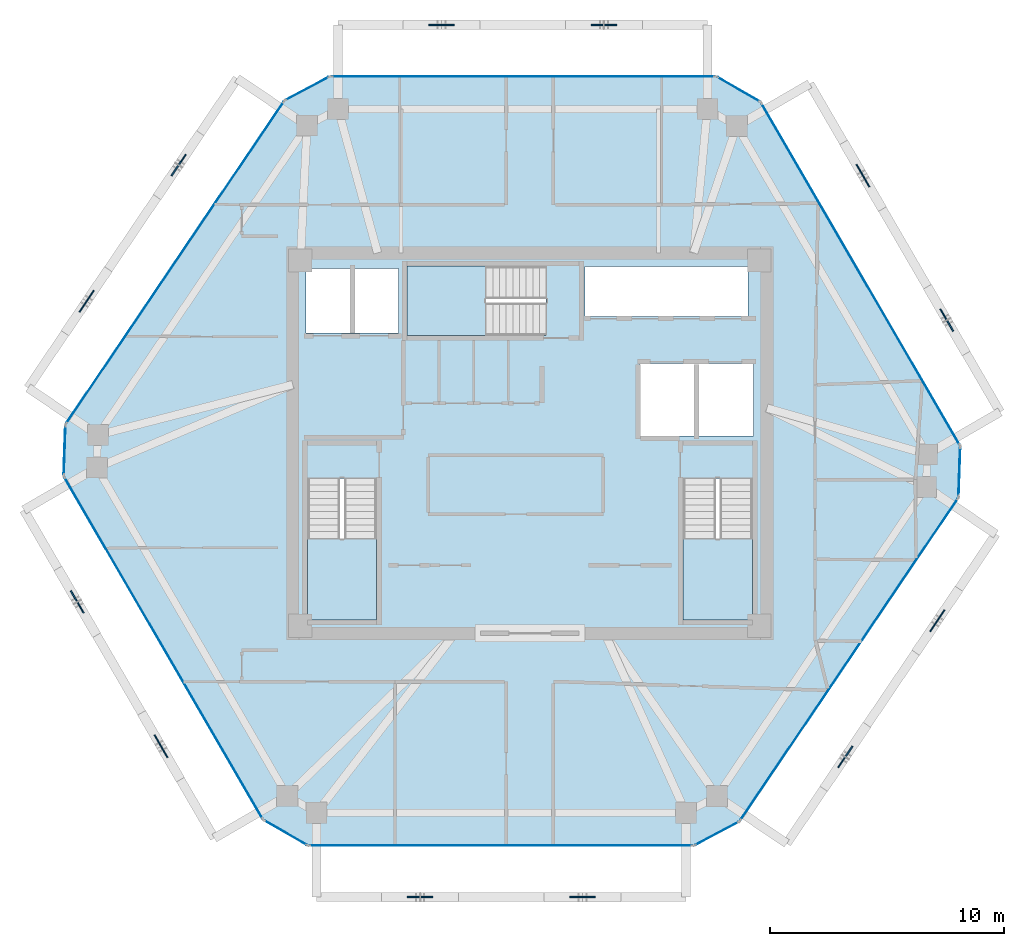
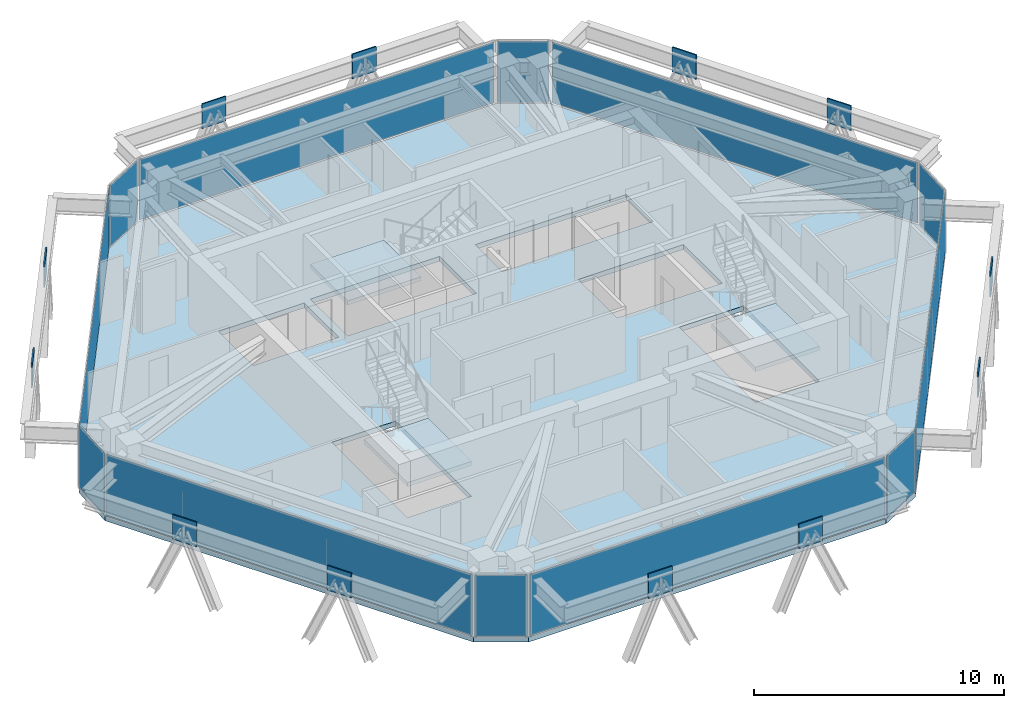
# One storey, part 7 of 14: 24 plates, 4 slabs, 15 elements without a shape of their own.
"""IFC4 building model written with IfcOpenShell, lengths in metres."""

from ifc_helpers import new_model, si_unit, direction, frame, origin, origin_2d, place, context, subcontext, project, spatial, polyline, rectangle, outline, extrude, source, transform, mapped, material, layer, layer_set, type_object, type_shapes, element, aggregate, save


model = new_model("IFC4")

# Units and contexts
model_context = context("Model", 3, precision=1e-05, world=origin(), true_north=direction((0.0, 1.0)))
body_context = subcontext(model_context, "Body", "Model", "MODEL_VIEW")
ifc_project = project(units=[si_unit("LENGTHUNIT", "METRE"), si_unit("AREAUNIT", "SQUARE_METRE"), si_unit("VOLUMEUNIT", "CUBIC_METRE"), si_unit("PLANEANGLEUNIT", "RADIAN"), si_unit("MASSUNIT", "GRAM", prefix="KILO")], contexts=[model_context])

# Site, building, storey
site_placement = place(None, origin())
site = spatial("IfcSite", under=ifc_project, at=site_placement, CompositionType="ELEMENT")
building_placement = place(site_placement, origin())
building = spatial("IfcBuilding", under=site, at=building_placement, Name="Durnholm Broadcast Tower", CompositionType="ELEMENT")
storey_placement = place(building_placement, frame((0.0, 0.0, 261.5)))
storey = spatial("IfcBuildingStorey", under=building, at=storey_placement, Name="L73", CompositionType="ELEMENT", Elevation=261.5)

# Slab
ifc_material_1 = material(Name="Concrete C50/60", Category="concrete")
ifc_layer_1 = layer(ifc_material_1, 0.239990234375)
ifc_layer_set_1 = layer_set([ifc_layer_1], Name="Concrete C50/60")
slab_type_1 = type_object("IfcSlabType", Name="SLAB-FLR-240", PredefinedType="FLOOR", material=ifc_layer_set_1)
slab_1_placement = place(storey_placement, frame((0.0, 0.0, -0.239990234375)))
element("IfcSlab", 1, at=slab_1_placement, inside=storey, type_object=slab_type_1, Name="L73 structural floor slab", PredefinedType="FLOOR", context=body_context, shape_type="SweptSolid", body=[
    extrude(outline(polyline([(-11.384521484375, -16.088134765625), (-9.47802734375, -17.18603515625), (7.012451171875, -17.18603515625), (8.955322265625, -16.154296875), (18.307861328125, -2.3203125), (18.38330078125, -0.12158203125), (9.8603515625, 14.564208984375), (7.9541015625, 15.662109375), (-8.536376953125, 15.662109375), (-10.4794921875, 14.630126953125), (-19.831787109375, 0.79638671875), (-19.9072265625, -1.40234375), (-11.384521484375, -16.088134765625)]), holes=[polyline([(-6.5400390625, -1.5), (-9.5, -1.5), (-9.5, -7.550048828125), (-6.5400390625, -7.550048828125), (-6.5400390625, -1.5)]), polyline([(9.5, -7.550048828125), (9.5, -1.5), (6.5400390625, -1.5), (6.5400390625, -7.550048828125), (9.5, -7.550048828125)]), polyline([(9.550048828125, 3.39990234375), (4.699951171875, 3.39990234375), (4.699951171875, 0.300048828125), (9.550048828125, 0.300048828125), (9.550048828125, 3.39990234375)]), polyline([(-9.550048828125, 7.449951171875), (-9.550048828125, 4.699951171875), (-5.60009765625, 4.699951171875), (-5.60009765625, 7.449951171875), (-9.550048828125, 7.449951171875)]), polyline([(-5.25, 4.60009765625), (0.699951171875, 4.60009765625), (0.699951171875, 7.56005859375), (-5.25, 7.56005859375), (-5.25, 4.60009765625)]), polyline([(9.31005859375, 7.550048828125), (2.35009765625, 7.550048828125), (2.35009765625, 5.39990234375), (9.31005859375, 5.39990234375), (9.31005859375, 7.550048828125)])]), origin(), (0.0, 0.0, 1.0), 0.239990234375),
])

# Stair, slab
stair_type = type_object("IfcStairType", Name="STAIR-DL-20R1700", PredefinedType="HALF_TURN_STAIR", material=ifc_material_1)
stair_1_placement = place(storey_placement, origin())
stair_1 = element("IfcStair", 2, at=stair_1_placement, inside=storey, type_object=stair_type, Name="L73 ST-1", PredefinedType="HALF_TURN_STAIR")
ifc_layer_2 = layer(ifc_material_1, 0.199951171875)
ifc_layer_set_2 = layer_set([ifc_layer_2], Name="Concrete C50/60")
slab_type_2 = type_object("IfcSlabType", Name="SLAB-LND-200", PredefinedType="LANDING", material=ifc_layer_set_2)
slab_2_placement = place(storey_placement, frame((0.0, 0.0, 1.5)))
slab_2 = element("IfcSlab", 3, at=slab_2_placement, type_object=slab_type_2, Name="ST-1 landing 1", PredefinedType="LANDING", context=body_context, shape_type="SweptSolid", body=[
    extrude(outline(polyline([(-9.5, -4.06494140625), (-9.5, -7.550048828125), (-6.5400390625, -7.550048828125), (-6.5400390625, -4.06494140625), (-9.5, -4.06494140625)])), origin(), (0.0, 0.0, 1.0), 0.199951171875),
])
aggregate(stair_1, [slab_2])

stair_2_placement = place(storey_placement, origin())
stair_2 = element("IfcStair", 4, at=stair_2_placement, inside=storey, type_object=stair_type, Name="L73 ST-2", PredefinedType="HALF_TURN_STAIR")
slab_3_placement = place(storey_placement, frame((0.0, 0.0, 1.5)))
slab_3 = element("IfcSlab", 5, at=slab_3_placement, type_object=slab_type_2, Name="ST-2 landing 1", PredefinedType="LANDING", context=body_context, shape_type="SweptSolid", body=[
    extrude(outline(polyline([(6.5400390625, -4.06494140625), (6.5400390625, -7.550048828125), (9.5, -7.550048828125), (9.5, -4.06494140625), (6.5400390625, -4.06494140625)])), origin(), (0.0, 0.0, 1.0), 0.199951171875),
])
aggregate(stair_2, [slab_3])

stair_3_placement = place(storey_placement, origin())
stair_3 = element("IfcStair", 6, at=stair_3_placement, inside=storey, type_object=stair_type, Name="L73 ST-3", PredefinedType="HALF_TURN_STAIR")
slab_4_placement = place(storey_placement, frame((0.0, 0.0, 1.5)))
slab_4 = element("IfcSlab", 7, at=slab_4_placement, type_object=slab_type_2, Name="ST-3 landing 1", PredefinedType="LANDING", context=body_context, shape_type="SweptSolid", body=[
    extrude(outline(polyline([(-1.864990234375, 7.56005859375), (-5.25, 7.56005859375), (-5.25, 4.60009765625), (-1.864990234375, 4.60009765625), (-1.864990234375, 7.56005859375)])), origin(), (0.0, 0.0, 1.0), 0.199951171875),
])
aggregate(stair_3, [slab_4])

# Plates
ifc_material_2 = material(Name="Steel ASTM A572 Grade 50", Category="steel")
ifc_layer_3 = layer(ifc_material_2, 0.06005859375)
ifc_layer_set_3 = layer_set([ifc_layer_3], Name="Steel ASTM A572 Grade 50")
plate_type_1 = type_object("IfcPlateType", Name="PLT-KN10-GUS", PredefinedType="USERDEFINED", material=ifc_layer_set_3)
shared_shape_1 = source(origin(), body_context, "Body", "SweptSolid", [
    extrude(rectangle(XDim=1.10009765625, YDim=0.06005859375, at=origin_2d()), origin(), (0.0, 0.0, 1.0), 1.199951171875),
])
type_shapes(plate_type_1, [shared_shape_1])
for number, where, z_axis, x_axis, name in (
    (8, (-4.688720703125, -19.385986328125, 1.74853515625), (0.0, 0.0, 1.0), (1.0, 0.0, 0.0), "L73 welded diagrid node gusset plate KN10 F1"),
    (9, (2.248779296875, -19.385986328125, 1.74853515625), (0.0, 0.0, 1.0), (1.0, 0.0, 0.0), "L73 welded diagrid node gusset plate KN10 F1"),
    (10, (13.47412109375, -13.398193359375, 1.74853515625), (0.0, 0.0, 1.0), (0.560060762816, 0.828451532652, 0.0), "L73 welded diagrid node gusset plate KN10 F2"),
    (11, (17.404052734375, -7.585205078125, 1.74853515625), (0.0, 0.0, 1.0), (0.560060762816, 0.828451532652, 0.0), "L73 welded diagrid node gusset plate KN10 F2"),
    (12, (17.806640625, 5.2548828125, 1.74853515625), (0.0, 0.0, 1.0), (-0.501963660617, 0.864888711581, 0.0), "L73 welded diagrid node gusset plate KN10 F3"),
    (13, (14.228271484375, 11.4208984375, 1.74853515625), (0.0, 0.0, 1.0), (-0.501963660617, 0.864888711581, 0.0), "L73 welded diagrid node gusset plate KN10 F3"),
    (14, (3.164794921875, 17.862060546875, 1.74853515625), (0.0, 0.0, 1.0), (-1.0, 0.0, 0.0), "L73 welded diagrid node gusset plate KN10 F4"),
    (15, (-3.772705078125, 17.862060546875, 1.74853515625), (0.0, 0.0, 1.0), (-1.0, 0.0, 0.0), "L73 welded diagrid node gusset plate KN10 F4"),
    (16, (-14.998046875, 11.874267578125, 1.74853515625), (0.0, 0.0, 1.0), (-0.560060762816, -0.828451532652, 0.0), "L73 welded diagrid node gusset plate KN10 F5"),
    (17, (-18.927978515625, 6.061279296875, 1.74853515625), (0.0, 0.0, 1.0), (-0.560060762816, -0.828451532652, 0.0), "L73 welded diagrid node gusset plate KN10 F5"),
    (18, (-19.330810546875, -6.77880859375, 1.74853515625), (0.0, 0.0, 1.0), (0.501963660617, -0.864888711581, 0.0), "L73 welded diagrid node gusset plate KN10 F6"),
    (19, (-15.752197265625, -12.94482421875, 1.74853515625), (0.0, 0.0, 1.0), (0.501963660617, -0.864888711581, 0.0), "L73 welded diagrid node gusset plate KN10 F6"),
):
    element("IfcPlate", number, at=place(storey_placement, frame(where, z_axis=z_axis, x_axis=x_axis)), inside=storey, type_object=plate_type_1, Name=name, ObjectType="GUSSET_PLATE", PredefinedType="USERDEFINED", context=body_context, shape_type="MappedRepresentation", body=[
        mapped(shared_shape_1, transform((0.0, 0.0, 0.0), x_axis=(1.0, 0.0, 0.0), y_axis=(0.0, 1.0, 0.0), z_axis=(0.0, 0.0, 1.0), scale=1.0)),
    ])

# Curtain wall, plate
ifc_material_3 = material(Name="Aluminium and Solar Control IGU", Category="aluminium")
ifc_layer_4 = layer(ifc_material_3, 0.1650390625)
ifc_layer_set_4 = layer_set([ifc_layer_4], Name="Aluminium and Solar Control IGU")
curtain_wall_type_1 = type_object("IfcCurtainWallType", Name="CW-SYS-5", PredefinedType="NOTDEFINED", material=ifc_layer_set_4)
curtain_wall_1_placement = place(storey_placement, origin())
curtain_wall_1 = element("IfcCurtainWall", 20, at=curtain_wall_1_placement, inside=storey, type_object=curtain_wall_type_1, Name="L73 curtain wall CW-CORNER CW-L73-CRN-01", PredefinedType="NOTDEFINED")
ifc_material_4 = material(Name="Low-E Laminated Insulating Glass", Category="glass")
ifc_layer_5 = layer(ifc_material_4, 0.030029296875)
ifc_layer_set_5 = layer_set([ifc_layer_5], Name="Low-E Laminated Insulating Glass")
plate_type_2 = type_object("IfcPlateType", Name="CW-SYS-5-PNL", PredefinedType="CURTAIN_PANEL", material=ifc_layer_set_5)
shared_shape_2 = source(origin(), body_context, "Body", "SweptSolid", [
    extrude(rectangle(XDim=2.070068359375, YDim=0.030029296875, at=origin_2d()), origin(), (0.0, 0.0, 1.0), 2.969970703125),
])
plate_1_placement = place(storey_placement, frame((-19.86962890625, -0.302978515625, 0.06494140625), z_axis=(0.0, 0.0, 1.0), x_axis=(0.034318245849, 0.999410955514, 0.0)))
plate_1 = element("IfcPlate", 21, at=plate_1_placement, type_object=plate_type_2, Name="CW-CORNER panel 1.1", PredefinedType="CURTAIN_PANEL", context=body_context, shape_type="MappedRepresentation", body=[
    mapped(shared_shape_2, transform((0.0, 0.0, 0.0), x_axis=(1.0, 0.0, 0.0), y_axis=(0.0, 1.0, 0.0), z_axis=(0.0, 0.0, 1.0), scale=1.0)),
])
aggregate(curtain_wall_1, [plate_1])

curtain_wall_2_placement = place(storey_placement, origin())
curtain_wall_2 = element("IfcCurtainWall", 22, at=curtain_wall_2_placement, inside=storey, type_object=curtain_wall_type_1, Name="L73 curtain wall CW-CORNER CW-L73-CRN-03", PredefinedType="NOTDEFINED")
plate_2_placement = place(storey_placement, frame((-9.5078125, 15.14599609375, 0.06494140625), z_axis=(0.0, 0.0, 1.0), x_axis=(0.883194569853, 0.469006771575, 0.0)))
plate_2 = element("IfcPlate", 23, at=plate_2_placement, type_object=plate_type_2, Name="CW-CORNER panel 1.1", PredefinedType="CURTAIN_PANEL", context=body_context, shape_type="MappedRepresentation", body=[
    mapped(shared_shape_2, transform((0.0, 0.0, 0.0), x_axis=(1.0, 0.0, 0.0), y_axis=(0.0, 1.0, 0.0), z_axis=(0.0, 0.0, 1.0), scale=1.0)),
])
aggregate(curtain_wall_2, [plate_2])

curtain_wall_3_placement = place(storey_placement, origin())
curtain_wall_3 = element("IfcCurtainWall", 24, at=curtain_wall_3_placement, inside=storey, type_object=curtain_wall_type_1, Name="L73 curtain wall CW-CORNER CW-L73-CRN-07", PredefinedType="NOTDEFINED")
plate_3_placement = place(storey_placement, frame((18.345458984375, -1.220947265625, 0.06494140625), z_axis=(0.0, 0.0, 1.0), x_axis=(-0.034318245849, -0.999410955514, 0.0)))
plate_3 = element("IfcPlate", 25, at=plate_3_placement, type_object=plate_type_2, Name="CW-CORNER panel 1.1", PredefinedType="CURTAIN_PANEL", context=body_context, shape_type="MappedRepresentation", body=[
    mapped(shared_shape_2, transform((0.0, 0.0, 0.0), x_axis=(1.0, 0.0, 0.0), y_axis=(0.0, 1.0, 0.0), z_axis=(0.0, 0.0, 1.0), scale=1.0)),
])
aggregate(curtain_wall_3, [plate_3])

curtain_wall_4_placement = place(storey_placement, origin())
curtain_wall_4 = element("IfcCurtainWall", 26, at=curtain_wall_4_placement, inside=storey, type_object=curtain_wall_type_1, Name="L73 curtain wall CW-CORNER CW-L73-CRN-09", PredefinedType="NOTDEFINED")
plate_4_placement = place(storey_placement, frame((7.98388671875, -16.670166015625, 0.06494140625), z_axis=(0.0, 0.0, 1.0), x_axis=(-0.883194569853, -0.469006771575, 0.0)))
plate_4 = element("IfcPlate", 27, at=plate_4_placement, type_object=plate_type_2, Name="CW-CORNER panel 1.1", PredefinedType="CURTAIN_PANEL", context=body_context, shape_type="MappedRepresentation", body=[
    mapped(shared_shape_2, transform((0.0, 0.0, 0.0), x_axis=(1.0, 0.0, 0.0), y_axis=(0.0, 1.0, 0.0), z_axis=(0.0, 0.0, 1.0), scale=1.0)),
])
aggregate(curtain_wall_4, [plate_4])

ifc_layer_6 = layer(ifc_material_3, 0.18994140625)
ifc_layer_set_6 = layer_set([ifc_layer_6], Name="Aluminium and Solar Control IGU")
curtain_wall_type_2 = type_object("IfcCurtainWallType", Name="CW-SYS-4", PredefinedType="NOTDEFINED", material=ifc_layer_set_6)
curtain_wall_5_placement = place(storey_placement, origin())
curtain_wall_5 = element("IfcCurtainWall", 28, at=curtain_wall_5_placement, inside=storey, type_object=curtain_wall_type_2, Name="L73 curtain wall CW-Z34-VIS CW-L73-F02", PredefinedType="NOTDEFINED")
ifc_layer_7 = layer(ifc_material_4, 0.033935546875)
ifc_layer_set_7 = layer_set([ifc_layer_7], Name="Low-E Laminated Insulating Glass")
plate_type_3 = type_object("IfcPlateType", Name="CW-SYS-4-PNL", PredefinedType="CURTAIN_PANEL", material=ifc_layer_set_7)
shared_shape_3 = source(origin(), body_context, "Body", "SweptSolid", [
    extrude(rectangle(XDim=16.55859375, YDim=0.033935546875, at=origin_2d()), origin(), (0.0, 0.0, 1.0), 2.9599609375),
])
plate_5_placement = place(storey_placement, frame((-15.155517578125, 7.71337890625, 0.070068359375), z_axis=(0.0, 0.0, 1.0), x_axis=(0.560072745753, 0.828443431662, 0.0)))
plate_5 = element("IfcPlate", 29, at=plate_5_placement, type_object=plate_type_3, Name="CW-Z34-VIS panel 1.1", PredefinedType="CURTAIN_PANEL", context=body_context, shape_type="MappedRepresentation", body=[
    mapped(shared_shape_3, transform((0.0, 0.0, 0.0), x_axis=(1.0, 0.0, 0.0), y_axis=(0.0, 1.0, 0.0), z_axis=(0.0, 0.0, 1.0), scale=1.0)),
])
aggregate(curtain_wall_5, [plate_5])

curtain_wall_6_placement = place(storey_placement, origin())
curtain_wall_6 = element("IfcCurtainWall", 30, at=curtain_wall_6_placement, inside=storey, type_object=curtain_wall_type_2, Name="L73 curtain wall CW-Z34-VIS CW-L73-F08", PredefinedType="NOTDEFINED")
plate_6_placement = place(storey_placement, frame((13.631591796875, -9.2373046875, 0.070068359375), z_axis=(0.0, 0.0, 1.0), x_axis=(-0.560072745753, -0.828443431662, 0.0)))
plate_6 = element("IfcPlate", 31, at=plate_6_placement, type_object=plate_type_3, Name="CW-Z34-VIS panel 1.1", PredefinedType="CURTAIN_PANEL", context=body_context, shape_type="MappedRepresentation", body=[
    mapped(shared_shape_3, transform((0.0, 0.0, 0.0), x_axis=(1.0, 0.0, 0.0), y_axis=(0.0, 1.0, 0.0), z_axis=(0.0, 0.0, 1.0), scale=1.0)),
])
aggregate(curtain_wall_6, [plate_6])

curtain_wall_7_placement = place(storey_placement, origin())
curtain_wall_7 = element("IfcCurtainWall", 32, at=curtain_wall_7_placement, inside=storey, type_object=curtain_wall_type_2, Name="L73 curtain wall CW-Z34-VIS CW-L73-F04", PredefinedType="NOTDEFINED")
shared_shape_4 = source(origin(), body_context, "Body", "SweptSolid", [
    extrude(rectangle(XDim=16.350341796875, YDim=0.033935546875, at=origin_2d()), origin(), (0.0, 0.0, 1.0), 2.9599609375),
])
plate_7_placement = place(storey_placement, frame((-0.291259765625, 15.662109375, 0.070068359375), z_axis=(0.0, 0.0, 1.0), x_axis=(1.0, 0.0, 0.0)))
plate_7 = element("IfcPlate", 33, at=plate_7_placement, type_object=plate_type_3, Name="CW-Z34-VIS panel 1.1", PredefinedType="CURTAIN_PANEL", context=body_context, shape_type="MappedRepresentation", body=[
    mapped(shared_shape_4, transform((0.0, 0.0, 0.0), x_axis=(1.0, 0.0, 0.0), y_axis=(0.0, 1.0, 0.0), z_axis=(0.0, 0.0, 1.0), scale=1.0)),
])
aggregate(curtain_wall_7, [plate_7])

curtain_wall_8_placement = place(storey_placement, origin())
curtain_wall_8 = element("IfcCurtainWall", 34, at=curtain_wall_8_placement, inside=storey, type_object=curtain_wall_type_2, Name="L73 curtain wall CW-Z34-VIS CW-L73-F10", PredefinedType="NOTDEFINED")
plate_8_placement = place(storey_placement, frame((-1.23291015625, -17.18603515625, 0.070068359375), z_axis=(0.0, 0.0, 1.0), x_axis=(-1.0, 0.0, 0.0)))
plate_8 = element("IfcPlate", 35, at=plate_8_placement, type_object=plate_type_3, Name="CW-Z34-VIS panel 1.1", PredefinedType="CURTAIN_PANEL", context=body_context, shape_type="MappedRepresentation", body=[
    mapped(shared_shape_4, transform((0.0, 0.0, 0.0), x_axis=(1.0, 0.0, 0.0), y_axis=(0.0, 1.0, 0.0), z_axis=(0.0, 0.0, 1.0), scale=1.0)),
])
aggregate(curtain_wall_8, [plate_8])

curtain_wall_9_placement = place(storey_placement, origin())
curtain_wall_9 = element("IfcCurtainWall", 36, at=curtain_wall_9_placement, inside=storey, type_object=curtain_wall_type_1, Name="L73 curtain wall CW-CORNER CW-L73-CRN-05", PredefinedType="NOTDEFINED")
shared_shape_5 = source(origin(), body_context, "Body", "SweptSolid", [
    extrude(rectangle(XDim=2.06982421875, YDim=0.030029296875, at=origin_2d()), origin(), (0.0, 0.0, 1.0), 2.969970703125),
])
type_shapes(plate_type_2, [shared_shape_2, shared_shape_5])
plate_9_placement = place(storey_placement, frame((8.9072265625, 15.113037109375, 0.06494140625), z_axis=(0.0, 0.0, 1.0), x_axis=(0.866568249707, -0.499058582333, 0.0)))
plate_9 = element("IfcPlate", 37, at=plate_9_placement, type_object=plate_type_2, Name="CW-CORNER panel 1.1", PredefinedType="CURTAIN_PANEL", context=body_context, shape_type="MappedRepresentation", body=[
    mapped(shared_shape_5, transform((0.0, 0.0, 0.0), x_axis=(1.0, 0.0, 0.0), y_axis=(0.0, 1.0, 0.0), z_axis=(0.0, 0.0, 1.0), scale=1.0)),
])
aggregate(curtain_wall_9, [plate_9])

curtain_wall_10_placement = place(storey_placement, origin())
curtain_wall_10 = element("IfcCurtainWall", 38, at=curtain_wall_10_placement, inside=storey, type_object=curtain_wall_type_1, Name="L73 curtain wall CW-CORNER CW-L73-CRN-11", PredefinedType="NOTDEFINED")
plate_10_placement = place(storey_placement, frame((-10.43115234375, -16.636962890625, 0.06494140625), z_axis=(0.0, 0.0, 1.0), x_axis=(-0.866568249707, 0.499058582333, 0.0)))
plate_10 = element("IfcPlate", 39, at=plate_10_placement, type_object=plate_type_2, Name="CW-CORNER panel 1.1", PredefinedType="CURTAIN_PANEL", context=body_context, shape_type="MappedRepresentation", body=[
    mapped(shared_shape_5, transform((0.0, 0.0, 0.0), x_axis=(1.0, 0.0, 0.0), y_axis=(0.0, 1.0, 0.0), z_axis=(0.0, 0.0, 1.0), scale=1.0)),
])
aggregate(curtain_wall_10, [plate_10])

curtain_wall_11_placement = place(storey_placement, origin())
curtain_wall_11 = element("IfcCurtainWall", 40, at=curtain_wall_11_placement, inside=storey, type_object=curtain_wall_type_2, Name="L73 curtain wall CW-Z34-VIS CW-L73-F06", PredefinedType="NOTDEFINED")
shared_shape_6 = source(origin(), body_context, "Body", "SweptSolid", [
    extrude(rectangle(XDim=16.83984375, YDim=0.033935546875, at=origin_2d()), origin(), (0.0, 0.0, 1.0), 2.9599609375),
])
type_shapes(plate_type_3, [shared_shape_3, shared_shape_4, shared_shape_6])
plate_11_placement = place(storey_placement, frame((14.121826171875, 7.22119140625, 0.070068359375), z_axis=(0.0, 0.0, 1.0), x_axis=(0.50194441023, -0.864899883824, 0.0)))
plate_11 = element("IfcPlate", 41, at=plate_11_placement, type_object=plate_type_3, Name="CW-Z34-VIS panel 1.1", PredefinedType="CURTAIN_PANEL", context=body_context, shape_type="MappedRepresentation", body=[
    mapped(shared_shape_6, transform((0.0, 0.0, 0.0), x_axis=(1.0, 0.0, 0.0), y_axis=(0.0, 1.0, 0.0), z_axis=(0.0, 0.0, 1.0), scale=1.0)),
])
aggregate(curtain_wall_11, [plate_11])

curtain_wall_12_placement = place(storey_placement, origin())
curtain_wall_12 = element("IfcCurtainWall", 42, at=curtain_wall_12_placement, inside=storey, type_object=curtain_wall_type_2, Name="L73 curtain wall CW-Z34-VIS CW-L73-F12", PredefinedType="NOTDEFINED")
plate_12_placement = place(storey_placement, frame((-15.645751953125, -8.7451171875, 0.070068359375), z_axis=(0.0, 0.0, 1.0), x_axis=(-0.50194441023, 0.864899883824, 0.0)))
plate_12 = element("IfcPlate", 43, at=plate_12_placement, type_object=plate_type_3, Name="CW-Z34-VIS panel 1.1", PredefinedType="CURTAIN_PANEL", context=body_context, shape_type="MappedRepresentation", body=[
    mapped(shared_shape_6, transform((0.0, 0.0, 0.0), x_axis=(1.0, 0.0, 0.0), y_axis=(0.0, 1.0, 0.0), z_axis=(0.0, 0.0, 1.0), scale=1.0)),
])
aggregate(curtain_wall_12, [plate_12])

save(model, "model.ifc")
